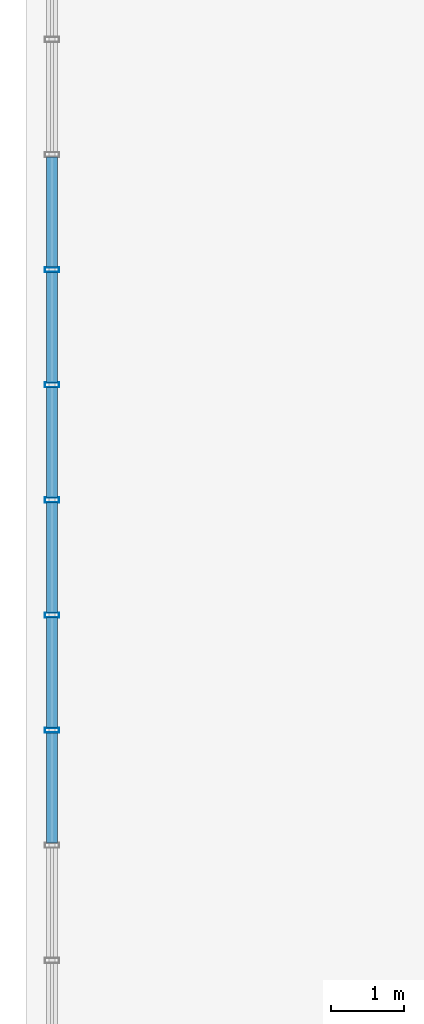
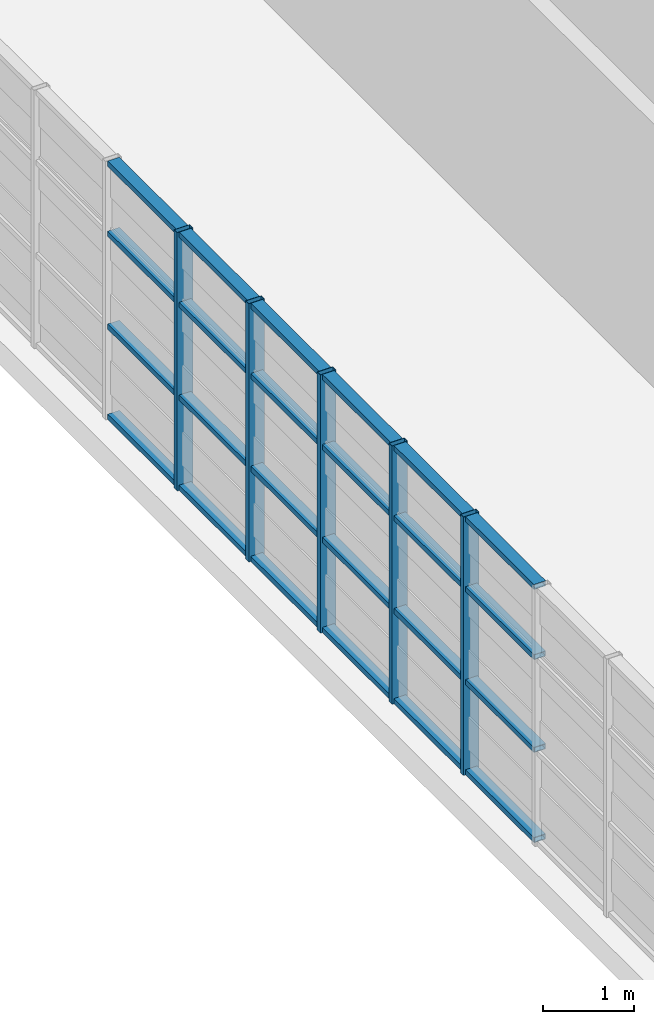
# One storey, part 8 of 24: 29 members, 1 element without a shape of its own.
"""IFC4 building model written with IfcOpenShell, lengths in metres."""

import ifcopenshell
import ifcopenshell.guid

model = None  # the IFC model being written
_history = None  # IfcOwnerHistory: only IFC2X3 demands one
_inside = {}  # id of a spatial element -> (the spatial element, [elements in it])
_under = {}  # id of a project, library or spatial element -> (it, [spatial elements below it])
_declared = {}  # id of a project -> (the project, [libraries it declares])
_typed = {}  # id of a type object -> (the type object, [elements of that type])
_made_of = {}  # id of a material, layer set ... -> (it, [elements and type objects made of it])


def new_model(schema):
    """Start an empty IFC model of exactly this schema.

    Asked for "IFC4X3", IfcOpenShell would pick the latest addendum, in which some entities
    have other attributes; the version numbers below select the first issue.
    IFC2X3 requires an IfcOwnerHistory on every rooted entity: one is made here for all.
    """
    global model, _history
    if schema == "IFC4X3":
        model = ifcopenshell.file(schema_version=(4, 3, 0, 0))
    else:
        model = ifcopenshell.file(schema=schema)
    _inside.clear()
    _under.clear()
    _declared.clear()
    _typed.clear()
    _made_of.clear()
    _history = None
    if model.schema == "IFC2X3":
        org = make("IfcOrganization", Name="unknown")
        user = make(
            "IfcPersonAndOrganization",
            ThePerson=make("IfcPerson", FamilyName="unknown"),
            TheOrganization=org,
        )
        app = make(
            "IfcApplication",
            ApplicationDeveloper=org,
            Version="unknown",
            ApplicationFullName="unknown",
            ApplicationIdentifier="unknown",
        )
        _history = make(
            "IfcOwnerHistory",
            OwningUser=user,
            OwningApplication=app,
            ChangeAction="ADDED",
            CreationDate=0,
        )
    return model


def make(cls, **values):
    """One entity of the class cls with the attributes given. An attribute that is None is left unset."""
    return model.create_entity(
        cls, **{name: value for name, value in values.items() if value is not None}
    )


def rooted(cls, **values):
    """An entity with a GlobalId (a new one), such as an element, a storey or a relation."""
    return make(cls, GlobalId=ifcopenshell.guid.new(), OwnerHistory=_history, **values)


def si_unit(unit_type, name, prefix=None):
    """IfcSIUnit, for example si_unit("LENGTHUNIT", "METRE", prefix="MILLI")."""
    return make("IfcSIUnit", UnitType=unit_type, Prefix=prefix, Name=name)


def assignment(units):
    """IfcUnitAssignment: the units of a project."""
    return None if units is None else make("IfcUnitAssignment", Units=units)


def point(xyz):
    """IfcCartesianPoint."""
    return None if xyz is None else make("IfcCartesianPoint", Coordinates=xyz)


def direction(xyz):
    """IfcDirection."""
    return None if xyz is None else make("IfcDirection", DirectionRatios=xyz)


def frame(location, z_axis=None, x_axis=None):
    """IfcAxis2Placement3D, a coordinate frame: its origin and axes. An axis left out is left unset."""
    return make(
        "IfcAxis2Placement3D",
        Location=point(location),
        Axis=direction(z_axis),
        RefDirection=direction(x_axis),
    )


def frame_2d(location, x_axis=None):
    """IfcAxis2Placement2D, a coordinate frame in the plane: its origin and x axis."""
    return make(
        "IfcAxis2Placement2D", Location=point(location), RefDirection=direction(x_axis)
    )


def origin():
    """The frame at (0, 0, 0) with its axes left unset."""
    return frame((0.0, 0.0, 0.0))


def origin_2d():
    """The frame at (0, 0) in the plane with its x axis left unset."""
    return frame_2d((0.0, 0.0))


def place(relative_to, where):
    """IfcLocalPlacement: puts the frame where relative to a parent placement (None: the world)."""
    return make(
        "IfcLocalPlacement", PlacementRelTo=relative_to, RelativePlacement=where
    )


def context(
    kind, dimensions, precision=None, world=None, true_north=None, identifier=None
):
    """IfcGeometricRepresentationContext, for example the 3D "Model" context."""
    return make(
        "IfcGeometricRepresentationContext",
        ContextIdentifier=identifier,
        ContextType=kind,
        CoordinateSpaceDimension=dimensions,
        Precision=precision,
        WorldCoordinateSystem=world,
        TrueNorth=true_north,
    )


def subcontext(parent, identifier, kind, view, scale=None):
    """IfcGeometricRepresentationSubContext, for example "Body" below "Model"."""
    return make(
        "IfcGeometricRepresentationSubContext",
        ContextIdentifier=identifier,
        ContextType=kind,
        ParentContext=parent,
        TargetScale=scale,
        TargetView=view,
    )


def project(units=None, contexts=None):
    """IfcProject with its units and contexts."""
    return rooted(
        "IfcProject",
        Name="project",
        RepresentationContexts=contexts,
        UnitsInContext=assignment(units),
    )


def spatial(cls, under=None, at=None, **own):
    """A site, building, storey or space (cls), placed at a placement, below another one or the project."""
    s = rooted(cls, ObjectPlacement=at, **own)
    if under is not None:
        _under.setdefault(under.id(), (under, []))[1].append(s)
    return s


def profile(cls, at=None, kind="AREA", **sizes):
    """A parametric profile (cls). Its sizes go by their IFC names, for example OverallWidth=200.0."""
    return make(cls, ProfileType=kind, Position=at, **sizes)


def hollow_rectangle(**sizes):
    """IfcRectangleHollowProfileDef."""
    return profile("IfcRectangleHollowProfileDef", **sizes)


def extrude(swept, where, along, depth):
    """IfcExtrudedAreaSolid: the profile swept, set in the frame where, extruded along a direction by depth."""
    return make(
        "IfcExtrudedAreaSolid",
        SweptArea=swept,
        Position=where,
        ExtrudedDirection=direction(along),
        Depth=depth,
    )


def shape(context_of_items, identifier, shape_type, items):
    """IfcShapeRepresentation: the items that make up one representation, for example the "Body"."""
    return make(
        "IfcShapeRepresentation",
        ContextOfItems=context_of_items,
        RepresentationIdentifier=identifier,
        RepresentationType=shape_type,
        Items=items,
    )


def source(mapping_origin, context_of_items, identifier, shape_type, items):
    """IfcRepresentationMap: a shape defined once, which mapped items show again and again."""
    return make(
        "IfcRepresentationMap",
        MappingOrigin=mapping_origin,
        MappedRepresentation=shape(context_of_items, identifier, shape_type, items),
    )


def transform(
    local_origin,
    x_axis=None,
    y_axis=None,
    z_axis=None,
    scale=None,
    scale2=None,
    scale3=None,
    uniform=True,
):
    """IfcCartesianTransformationOperator3D, or its non-uniform kind. x_axis, y_axis, z_axis: its Axis1, 2, 3."""
    if uniform:
        return make(
            "IfcCartesianTransformationOperator3D",
            Axis1=direction(x_axis),
            Axis2=direction(y_axis),
            LocalOrigin=point(local_origin),
            Scale=scale,
            Axis3=direction(z_axis),
        )
    return make(
        "IfcCartesianTransformationOperator3DnonUniform",
        Axis1=direction(x_axis),
        Axis2=direction(y_axis),
        LocalOrigin=point(local_origin),
        Scale=scale,
        Axis3=direction(z_axis),
        Scale2=scale2,
        Scale3=scale3,
    )


def mapped(mapping_source, mapping_target):
    """IfcMappedItem: shows the shape of a source again, moved by a transform."""
    return make(
        "IfcMappedItem", MappingSource=mapping_source, MappingTarget=mapping_target
    )


def material(Name=None, Category=None):
    """IfcMaterial."""
    return make("IfcMaterial", Name=Name, Category=Category)


def layer(
    of_material, thickness, ventilated=None, Name=None, Category=None, Priority=None
):
    """IfcMaterialLayer: one layer of a wall or slab, of a material (None: an air gap)."""
    return make(
        "IfcMaterialLayer",
        Material=of_material,
        LayerThickness=thickness,
        IsVentilated=ventilated,
        Name=Name,
        Category=Category,
        Priority=Priority,
    )


def layer_set(layers, Name=None):
    """IfcMaterialLayerSet."""
    return make("IfcMaterialLayerSet", MaterialLayers=layers, LayerSetName=Name)


def material_profile(
    of_material, cross_section, Name=None, Category=None, Priority=None
):
    """IfcMaterialProfile: a cross section and its material."""
    return make(
        "IfcMaterialProfile",
        Name=Name,
        Material=of_material,
        Profile=cross_section,
        Priority=Priority,
        Category=Category,
    )


def profile_set(profiles, Name=None, composite=None):
    """IfcMaterialProfileSet."""
    return make(
        "IfcMaterialProfileSet",
        Name=Name,
        MaterialProfiles=profiles,
        CompositeProfile=composite,
    )


def made_of(thing, what):
    """Note that an element or type object is made of a material, layer set ...; save() writes the relation."""
    if what is not None:
        _made_of.setdefault(what.id(), (what, []))[1].append(thing)
    return thing


def type_object(cls, material=None, **own):
    """A type object (cls), such as IfcWallType, which elements share."""
    return made_of(rooted(cls, **own), material)


def element(
    cls,
    number,
    at=None,
    inside=None,
    cuts=None,
    type_object=None,
    material=None,
    context=None,
    identifier="Body",
    shape_type=None,
    held_by="IfcProductDefinitionShape",
    body=None,
    shapes=None,
    **own,
):
    """One element of the class cls, such as IfcWall. Its Tag is "e" and its number.

    at: its placement. inside: the storey or other place that contains it. cuts: it is an
    opening in that element (IfcRelVoidsElement). A single representation is given by context,
    identifier, shape_type and body (its items); several are given by shapes. held_by: the class
    of the entity that holds the representations. save() writes the other relations.
    """
    e = rooted(cls, Tag="e%d" % number, ObjectPlacement=at, **own)
    if body is not None:
        shapes = [shape(context, identifier, shape_type, body)]
    if shapes is not None:
        e.Representation = make(held_by, Representations=shapes)
    if inside is not None:
        _inside.setdefault(inside.id(), (inside, []))[1].append(e)
    if cuts is not None:
        rooted(
            "IfcRelVoidsElement", RelatingBuildingElement=cuts, RelatedOpeningElement=e
        )
    if type_object is not None:
        _typed.setdefault(type_object.id(), (type_object, []))[1].append(e)
    return made_of(e, material)


def aggregate(whole, parts):
    """IfcRelAggregates: a whole, such as a stair, and the parts it consists of."""
    return rooted("IfcRelAggregates", RelatingObject=whole, RelatedObjects=parts)


def save(model, path):
    """Write the relations noted so far, then the file.

    IfcRelAggregates (storeys below a building ...), IfcRelContainedInSpatialStructure (elements
    in a storey), IfcRelDefinesByType, IfcRelAssociatesMaterial and IfcRelDeclares: one each for
    every whole, place, type object, material and project.
    """
    for whole, parts in _under.values():
        aggregate(whole, parts)
    for where, things in _inside.values():
        rooted(
            "IfcRelContainedInSpatialStructure",
            RelatedElements=things,
            RelatingStructure=where,
        )
    for kind, things in _typed.values():
        rooted("IfcRelDefinesByType", RelatedObjects=things, RelatingType=kind)
    for what, things in _made_of.values():
        rooted("IfcRelAssociatesMaterial", RelatedObjects=things, RelatingMaterial=what)
    for by, libraries in _declared.values():
        rooted("IfcRelDeclares", RelatingContext=by, RelatedDefinitions=libraries)
    model.write(path)


model = new_model("IFC4")

# Units and contexts
model_context = context("Model", 3, precision=1e-05, world=origin(), true_north=direction((0.0, 1.0)))
body_context = subcontext(model_context, "Body", "Model", "MODEL_VIEW")
ifc_project = project(units=[si_unit("LENGTHUNIT", "METRE"), si_unit("AREAUNIT", "SQUARE_METRE"), si_unit("VOLUMEUNIT", "CUBIC_METRE"), si_unit("PLANEANGLEUNIT", "RADIAN"), si_unit("MASSUNIT", "GRAM", prefix="KILO")], contexts=[model_context])

# Site, building, storey
site_placement = place(None, origin())
site = spatial("IfcSite", under=ifc_project, at=site_placement, CompositionType="ELEMENT")
building_placement = place(site_placement, origin())
building = spatial("IfcBuilding", under=site, at=building_placement, Name="Saelheon Loggia Tower", CompositionType="ELEMENT")
storey_placement = place(building_placement, frame((0.0, 0.0, 252.199951171875)))
storey = spatial("IfcBuildingStorey", under=building, at=storey_placement, Name="CR1", CompositionType="ELEMENT", Elevation=252.199951171875)

# Curtain wall, members
ifc_material_1 = material(Name="Bronze-Anodised Aluminium and Fritted Ceramic Screen", Category="aluminium")
ifc_layer = layer(ifc_material_1, 0.219970703125)
ifc_layer_set = layer_set([ifc_layer], Name="Bronze-Anodised Aluminium and Fritted Ceramic Screen")
curtain_wall_type = type_object("IfcCurtainWallType", Name="CW_CrownScreen", PredefinedType="NOTDEFINED", material=ifc_layer_set)
curtain_wall_placement = place(storey_placement, origin())
curtain_wall = element("IfcCurtainWall", 1, at=curtain_wall_placement, inside=storey, type_object=curtain_wall_type, Name="CR1 Crown Screen Curtain Wall 9-2", PredefinedType="NOTDEFINED")
ifc_material_2 = material(Name="Bronze-Anodised Aluminium 6063-T6", Category="aluminium")
ifc_material_profile_1 = material_profile(ifc_material_2, hollow_rectangle(XDim=0.070068359375, YDim=0.199951171875, WallThickness=0.0048828125, at=origin_2d()), Name="RHS-200x70x5")
ifc_profile_set_1 = profile_set([ifc_material_profile_1], Name="Bronze-Anodised Aluminium 6063-T6")
member_type_1 = type_object("IfcMemberType", Name="CW_CrownScreen_Mullion", PredefinedType="MULLION", material=ifc_profile_set_1)
shared_shape_1 = source(origin(), body_context, "Body", "SweptSolid", [
    extrude(hollow_rectangle(XDim=0.070068359375, YDim=0.199951171875, WallThickness=0.0048828125, at=origin_2d()), origin(), (0.0, 0.0, 1.0), 3.47998046875),
])
member_1_placement = place(storey_placement, frame((23.35009765625, 29.3701171875, 0.0), z_axis=(0.0, 0.0, 1.0), x_axis=(0.0, -1.0, 0.0)))
member_1 = element("IfcMember", 2, at=member_1_placement, type_object=member_type_1, Name="CW6 mullion 5", PredefinedType="MULLION", context=body_context, shape_type="MappedRepresentation", body=[
    mapped(shared_shape_1, transform((0.0, 0.0, 0.0), scale=1.0)),
])
member_2_placement = place(storey_placement, frame((23.35009765625, 27.7900390625, 0.0), z_axis=(0.0, 0.0, 1.0), x_axis=(0.0, -1.0, 0.0)))
member_2 = element("IfcMember", 3, at=member_2_placement, type_object=member_type_1, Name="CW6 mullion 6", PredefinedType="MULLION", context=body_context, shape_type="MappedRepresentation", body=[
    mapped(shared_shape_1, transform((0.0, 0.0, 0.0), scale=1.0)),
])
member_3_placement = place(storey_placement, frame((23.35009765625, 26.2099609375, 0.0), z_axis=(0.0, 0.0, 1.0), x_axis=(0.0, -1.0, 0.0)))
member_3 = element("IfcMember", 4, at=member_3_placement, type_object=member_type_1, Name="CW6 mullion 7", PredefinedType="MULLION", context=body_context, shape_type="MappedRepresentation", body=[
    mapped(shared_shape_1, transform((0.0, 0.0, 0.0), scale=1.0)),
])
member_4_placement = place(storey_placement, frame((23.35009765625, 24.6298828125, 0.0), z_axis=(0.0, 0.0, 1.0), x_axis=(0.0, -1.0, 0.0)))
member_4 = element("IfcMember", 5, at=member_4_placement, type_object=member_type_1, Name="CW6 mullion 8", PredefinedType="MULLION", context=body_context, shape_type="MappedRepresentation", body=[
    mapped(shared_shape_1, transform((0.0, 0.0, 0.0), scale=1.0)),
])
member_5_placement = place(storey_placement, frame((23.35009765625, 23.050048828125, 0.0), z_axis=(0.0, 0.0, 1.0), x_axis=(0.0, -1.0, 0.0)))
member_5 = element("IfcMember", 6, at=member_5_placement, type_object=member_type_1, Name="CW6 mullion 9", PredefinedType="MULLION", context=body_context, shape_type="MappedRepresentation", body=[
    mapped(shared_shape_1, transform((0.0, 0.0, 0.0), scale=1.0)),
])
ifc_material_profile_2 = material_profile(ifc_material_2, hollow_rectangle(XDim=0.070068359375, YDim=0.14990234375, WallThickness=0.0048828125, at=origin_2d()), Name="RHS-150x70x5")
ifc_profile_set_2 = profile_set([ifc_material_profile_2], Name="Bronze-Anodised Aluminium 6063-T6")
member_type_2 = type_object("IfcMemberType", Name="CW_CrownScreen_Transom", PredefinedType="USERDEFINED", material=ifc_profile_set_2)
shared_shape_2 = source(origin(), body_context, "Body", "SweptSolid", [
    extrude(hollow_rectangle(XDim=0.070068359375, YDim=0.14990234375, WallThickness=0.0048828125, at=origin_2d()), origin(), (0.0, 0.0, 1.0), 1.510009765625),
])
member_6_placement = place(storey_placement, frame((23.35009765625, 30.9150390625, 0.03515625), z_axis=(0.0, -1.0, 0.0), x_axis=(0.0, 0.0, 1.0)))
member_6 = element("IfcMember", 7, at=member_6_placement, type_object=member_type_2, Name="CW6 transom 4.1", ObjectType="TRANSOM", PredefinedType="USERDEFINED", context=body_context, shape_type="MappedRepresentation", body=[
    mapped(shared_shape_2, transform((0.0, 0.0, 0.0), scale=1.0)),
])
member_7_placement = place(storey_placement, frame((23.35009765625, 30.9150390625, 1.25), z_axis=(0.0, -1.0, 0.0), x_axis=(0.0, 0.0, 1.0)))
member_7 = element("IfcMember", 8, at=member_7_placement, type_object=member_type_2, Name="CW6 transom 4.2", ObjectType="TRANSOM", PredefinedType="USERDEFINED", context=body_context, shape_type="MappedRepresentation", body=[
    mapped(shared_shape_2, transform((0.0, 0.0, 0.0), scale=1.0)),
])
member_8_placement = place(storey_placement, frame((23.35009765625, 30.9150390625, 2.5), z_axis=(0.0, -1.0, 0.0), x_axis=(0.0, 0.0, 1.0)))
member_8 = element("IfcMember", 9, at=member_8_placement, type_object=member_type_2, Name="CW6 transom 4.3", ObjectType="TRANSOM", PredefinedType="USERDEFINED", context=body_context, shape_type="MappedRepresentation", body=[
    mapped(shared_shape_2, transform((0.0, 0.0, 0.0), scale=1.0)),
])
member_9_placement = place(storey_placement, frame((23.35009765625, 30.9150390625, 3.445068359375), z_axis=(0.0, -1.0, 0.0), x_axis=(0.0, 0.0, 1.0)))
member_9 = element("IfcMember", 10, at=member_9_placement, type_object=member_type_2, Name="CW6 transom 4.4", ObjectType="TRANSOM", PredefinedType="USERDEFINED", context=body_context, shape_type="MappedRepresentation", body=[
    mapped(shared_shape_2, transform((0.0, 0.0, 0.0), scale=1.0)),
])
member_10_placement = place(storey_placement, frame((23.35009765625, 29.3349609375, 0.03515625), z_axis=(0.0, -1.0, 0.0), x_axis=(0.0, 0.0, 1.0)))
member_10 = element("IfcMember", 11, at=member_10_placement, type_object=member_type_2, Name="CW6 transom 5.1", ObjectType="TRANSOM", PredefinedType="USERDEFINED", context=body_context, shape_type="MappedRepresentation", body=[
    mapped(shared_shape_2, transform((0.0, 0.0, 0.0), scale=1.0)),
])
member_11_placement = place(storey_placement, frame((23.35009765625, 29.3349609375, 1.25), z_axis=(0.0, -1.0, 0.0), x_axis=(0.0, 0.0, 1.0)))
member_11 = element("IfcMember", 12, at=member_11_placement, type_object=member_type_2, Name="CW6 transom 5.2", ObjectType="TRANSOM", PredefinedType="USERDEFINED", context=body_context, shape_type="MappedRepresentation", body=[
    mapped(shared_shape_2, transform((0.0, 0.0, 0.0), scale=1.0)),
])
member_12_placement = place(storey_placement, frame((23.35009765625, 29.3349609375, 2.5), z_axis=(0.0, -1.0, 0.0), x_axis=(0.0, 0.0, 1.0)))
member_12 = element("IfcMember", 13, at=member_12_placement, type_object=member_type_2, Name="CW6 transom 5.3", ObjectType="TRANSOM", PredefinedType="USERDEFINED", context=body_context, shape_type="MappedRepresentation", body=[
    mapped(shared_shape_2, transform((0.0, 0.0, 0.0), scale=1.0)),
])
member_13_placement = place(storey_placement, frame((23.35009765625, 29.3349609375, 3.445068359375), z_axis=(0.0, -1.0, 0.0), x_axis=(0.0, 0.0, 1.0)))
member_13 = element("IfcMember", 14, at=member_13_placement, type_object=member_type_2, Name="CW6 transom 5.4", ObjectType="TRANSOM", PredefinedType="USERDEFINED", context=body_context, shape_type="MappedRepresentation", body=[
    mapped(shared_shape_2, transform((0.0, 0.0, 0.0), scale=1.0)),
])
member_14_placement = place(storey_placement, frame((23.35009765625, 26.175048828125, 0.03515625), z_axis=(0.0, -1.0, 0.0), x_axis=(0.0, 0.0, 1.0)))
member_14 = element("IfcMember", 15, at=member_14_placement, type_object=member_type_2, Name="CW6 transom 7.1", ObjectType="TRANSOM", PredefinedType="USERDEFINED", context=body_context, shape_type="MappedRepresentation", body=[
    mapped(shared_shape_2, transform((0.0, 0.0, 0.0), scale=1.0)),
])
member_15_placement = place(storey_placement, frame((23.35009765625, 26.175048828125, 1.25), z_axis=(0.0, -1.0, 0.0), x_axis=(0.0, 0.0, 1.0)))
member_15 = element("IfcMember", 16, at=member_15_placement, type_object=member_type_2, Name="CW6 transom 7.2", ObjectType="TRANSOM", PredefinedType="USERDEFINED", context=body_context, shape_type="MappedRepresentation", body=[
    mapped(shared_shape_2, transform((0.0, 0.0, 0.0), scale=1.0)),
])
member_16_placement = place(storey_placement, frame((23.35009765625, 26.175048828125, 2.5), z_axis=(0.0, -1.0, 0.0), x_axis=(0.0, 0.0, 1.0)))
member_16 = element("IfcMember", 17, at=member_16_placement, type_object=member_type_2, Name="CW6 transom 7.3", ObjectType="TRANSOM", PredefinedType="USERDEFINED", context=body_context, shape_type="MappedRepresentation", body=[
    mapped(shared_shape_2, transform((0.0, 0.0, 0.0), scale=1.0)),
])
member_17_placement = place(storey_placement, frame((23.35009765625, 26.175048828125, 3.445068359375), z_axis=(0.0, -1.0, 0.0), x_axis=(0.0, 0.0, 1.0)))
member_17 = element("IfcMember", 18, at=member_17_placement, type_object=member_type_2, Name="CW6 transom 7.4", ObjectType="TRANSOM", PredefinedType="USERDEFINED", context=body_context, shape_type="MappedRepresentation", body=[
    mapped(shared_shape_2, transform((0.0, 0.0, 0.0), scale=1.0)),
])
member_18_placement = place(storey_placement, frame((23.35009765625, 24.594970703125, 0.03515625), z_axis=(0.0, -1.0, 0.0), x_axis=(0.0, 0.0, 1.0)))
member_18 = element("IfcMember", 19, at=member_18_placement, type_object=member_type_2, Name="CW6 transom 8.1", ObjectType="TRANSOM", PredefinedType="USERDEFINED", context=body_context, shape_type="MappedRepresentation", body=[
    mapped(shared_shape_2, transform((0.0, 0.0, 0.0), scale=1.0)),
])
member_19_placement = place(storey_placement, frame((23.35009765625, 24.594970703125, 1.25), z_axis=(0.0, -1.0, 0.0), x_axis=(0.0, 0.0, 1.0)))
member_19 = element("IfcMember", 20, at=member_19_placement, type_object=member_type_2, Name="CW6 transom 8.2", ObjectType="TRANSOM", PredefinedType="USERDEFINED", context=body_context, shape_type="MappedRepresentation", body=[
    mapped(shared_shape_2, transform((0.0, 0.0, 0.0), scale=1.0)),
])
member_20_placement = place(storey_placement, frame((23.35009765625, 24.594970703125, 2.5), z_axis=(0.0, -1.0, 0.0), x_axis=(0.0, 0.0, 1.0)))
member_20 = element("IfcMember", 21, at=member_20_placement, type_object=member_type_2, Name="CW6 transom 8.3", ObjectType="TRANSOM", PredefinedType="USERDEFINED", context=body_context, shape_type="MappedRepresentation", body=[
    mapped(shared_shape_2, transform((0.0, 0.0, 0.0), scale=1.0)),
])
member_21_placement = place(storey_placement, frame((23.35009765625, 24.594970703125, 3.445068359375), z_axis=(0.0, -1.0, 0.0), x_axis=(0.0, 0.0, 1.0)))
member_21 = element("IfcMember", 22, at=member_21_placement, type_object=member_type_2, Name="CW6 transom 8.4", ObjectType="TRANSOM", PredefinedType="USERDEFINED", context=body_context, shape_type="MappedRepresentation", body=[
    mapped(shared_shape_2, transform((0.0, 0.0, 0.0), scale=1.0)),
])
member_22_placement = place(storey_placement, frame((23.35009765625, 23.014892578125, 0.03515625), z_axis=(0.0, -1.0, 0.0), x_axis=(0.0, 0.0, 1.0)))
member_22 = element("IfcMember", 23, at=member_22_placement, type_object=member_type_2, Name="CW6 transom 9.1", ObjectType="TRANSOM", PredefinedType="USERDEFINED", context=body_context, shape_type="MappedRepresentation", body=[
    mapped(shared_shape_2, transform((0.0, 0.0, 0.0), scale=1.0)),
])
member_23_placement = place(storey_placement, frame((23.35009765625, 23.014892578125, 1.25), z_axis=(0.0, -1.0, 0.0), x_axis=(0.0, 0.0, 1.0)))
member_23 = element("IfcMember", 24, at=member_23_placement, type_object=member_type_2, Name="CW6 transom 9.2", ObjectType="TRANSOM", PredefinedType="USERDEFINED", context=body_context, shape_type="MappedRepresentation", body=[
    mapped(shared_shape_2, transform((0.0, 0.0, 0.0), scale=1.0)),
])
member_24_placement = place(storey_placement, frame((23.35009765625, 23.014892578125, 2.5), z_axis=(0.0, -1.0, 0.0), x_axis=(0.0, 0.0, 1.0)))
member_24 = element("IfcMember", 25, at=member_24_placement, type_object=member_type_2, Name="CW6 transom 9.3", ObjectType="TRANSOM", PredefinedType="USERDEFINED", context=body_context, shape_type="MappedRepresentation", body=[
    mapped(shared_shape_2, transform((0.0, 0.0, 0.0), scale=1.0)),
])
member_25_placement = place(storey_placement, frame((23.35009765625, 23.014892578125, 3.445068359375), z_axis=(0.0, -1.0, 0.0), x_axis=(0.0, 0.0, 1.0)))
member_25 = element("IfcMember", 26, at=member_25_placement, type_object=member_type_2, Name="CW6 transom 9.4", ObjectType="TRANSOM", PredefinedType="USERDEFINED", context=body_context, shape_type="MappedRepresentation", body=[
    mapped(shared_shape_2, transform((0.0, 0.0, 0.0), scale=1.0)),
])
shared_shape_3 = source(origin(), body_context, "Body", "SweptSolid", [
    extrude(hollow_rectangle(XDim=0.070068359375, YDim=0.14990234375, WallThickness=0.0048828125, at=origin_2d()), origin(), (0.0, 0.0, 1.0), 1.509765625),
])
member_26_placement = place(storey_placement, frame((23.35009765625, 27.7548828125, 0.03515625), z_axis=(0.0, -1.0, 0.0), x_axis=(0.0, 0.0, 1.0)))
member_26 = element("IfcMember", 27, at=member_26_placement, type_object=member_type_2, Name="CW6 transom 6.1", ObjectType="TRANSOM", PredefinedType="USERDEFINED", context=body_context, shape_type="MappedRepresentation", body=[
    mapped(shared_shape_3, transform((0.0, 0.0, 0.0), scale=1.0)),
])
member_27_placement = place(storey_placement, frame((23.35009765625, 27.7548828125, 1.25), z_axis=(0.0, -1.0, 0.0), x_axis=(0.0, 0.0, 1.0)))
member_27 = element("IfcMember", 28, at=member_27_placement, type_object=member_type_2, Name="CW6 transom 6.2", ObjectType="TRANSOM", PredefinedType="USERDEFINED", context=body_context, shape_type="MappedRepresentation", body=[
    mapped(shared_shape_3, transform((0.0, 0.0, 0.0), scale=1.0)),
])
member_28_placement = place(storey_placement, frame((23.35009765625, 27.7548828125, 2.5), z_axis=(0.0, -1.0, 0.0), x_axis=(0.0, 0.0, 1.0)))
member_28 = element("IfcMember", 29, at=member_28_placement, type_object=member_type_2, Name="CW6 transom 6.3", ObjectType="TRANSOM", PredefinedType="USERDEFINED", context=body_context, shape_type="MappedRepresentation", body=[
    mapped(shared_shape_3, transform((0.0, 0.0, 0.0), scale=1.0)),
])
member_29_placement = place(storey_placement, frame((23.35009765625, 27.7548828125, 3.445068359375), z_axis=(0.0, -1.0, 0.0), x_axis=(0.0, 0.0, 1.0)))
member_29 = element("IfcMember", 30, at=member_29_placement, type_object=member_type_2, Name="CW6 transom 6.4", ObjectType="TRANSOM", PredefinedType="USERDEFINED", context=body_context, shape_type="MappedRepresentation", body=[
    mapped(shared_shape_3, transform((0.0, 0.0, 0.0), scale=1.0)),
])
aggregate(curtain_wall, [member_1, member_2, member_3, member_4, member_5, member_6, member_7, member_8, member_9, member_10, member_11, member_12, member_13, member_26, member_27, member_28, member_29, member_14, member_15, member_16, member_17, member_18, member_19, member_20, member_21, member_22, member_23, member_24, member_25])

save(model, "model.ifc")
